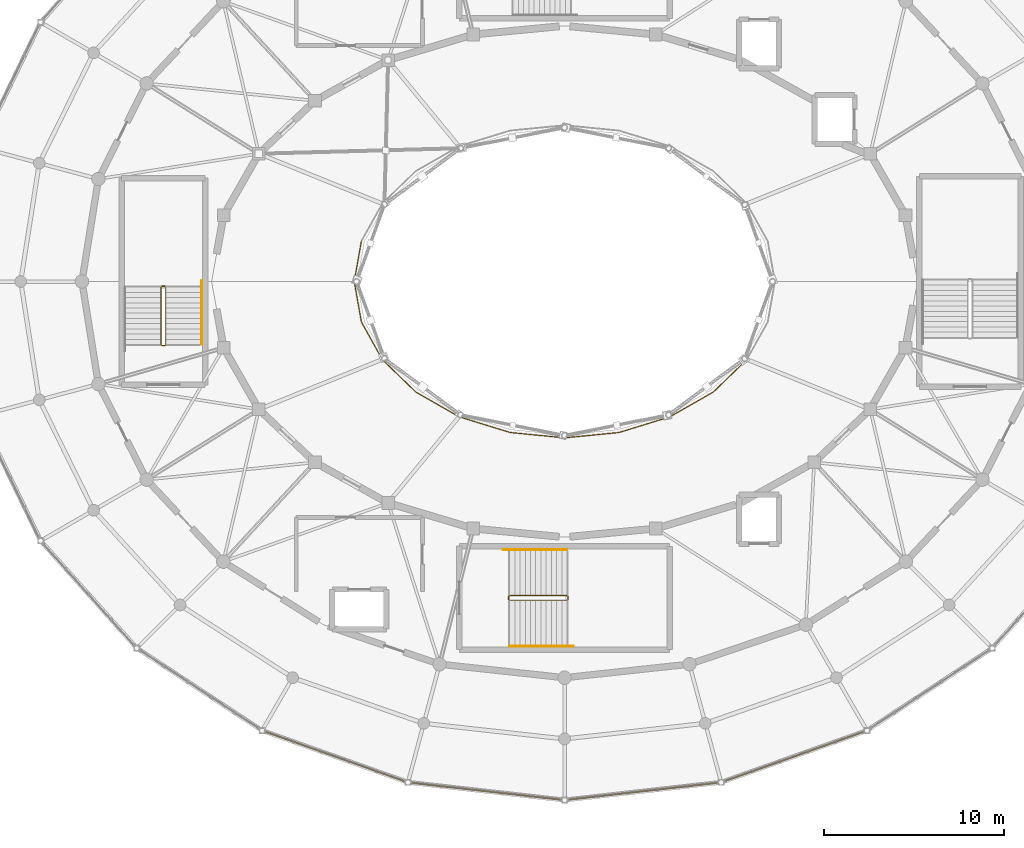
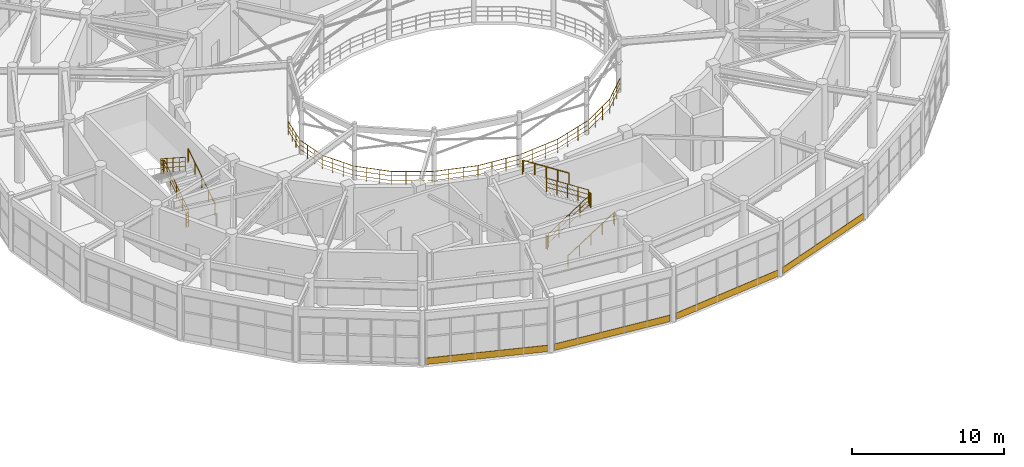
# One storey, part 55 of 60: 22 railings, 4 coverings.
"""IFC4 building model written with IfcOpenShell, lengths in metres."""

from ifc_helpers import new_model, si_unit, direction, frame, origin, origin_2d, place, context, subcontext, project, spatial, rectangle, circle, extrude, material, layer, layer_set, type_object, element, save


model = new_model("IFC4")

# Units and contexts
model_context = context("Model", 3, precision=1e-05, world=origin(), true_north=direction((0.0, 1.0)))
body_context = subcontext(model_context, "Body", "Model", "MODEL_VIEW")
ifc_project = project(units=[si_unit("LENGTHUNIT", "METRE"), si_unit("AREAUNIT", "SQUARE_METRE"), si_unit("VOLUMEUNIT", "CUBIC_METRE"), si_unit("PLANEANGLEUNIT", "RADIAN"), si_unit("MASSUNIT", "GRAM", prefix="KILO")], contexts=[model_context])

# Site, building, storey
site_placement = place(None, origin())
site = spatial("IfcSite", under=ifc_project, at=site_placement, CompositionType="ELEMENT")
building_placement = place(site_placement, origin())
building = spatial("IfcBuilding", under=site, at=building_placement, Name="Cinderbank Siding Concert Hall", CompositionType="ELEMENT")
storey_placement = place(building_placement, frame((0.0, 0.0, 14.699951171875)))
storey = spatial("IfcBuildingStorey", under=building, at=storey_placement, Name="L04", CompositionType="ELEMENT", Elevation=14.699951171875)

# Railings
ifc_material_1 = material(Name="Spotted gum glulam timber GL18 (42 MPa)", Category="wood")
railing_type_1 = type_object("IfcRailingType", Name="BAL-01 Auditorium Tier Balustrade 1120mm", PredefinedType="BALUSTRADE", material=ifc_material_1)
railing_1_placement = place(storey_placement, frame((110.718017578125, 46.24658203125, 0.0)))
element("IfcRailing", 1, at=railing_1_placement, inside=storey, type_object=railing_type_1, Name="L04 Auditorium Circle Balustrade 12", PredefinedType="BALUSTRADE", context=body_context, shape_type="SweptSolid", body=[
    extrude(circle(Radius=0.02392578125, at=origin_2d()), frame((0.0, 0.0, 1.09619140625), z_axis=(-0.174420153546, -0.984671320816, 0.0), x_axis=(0.984671320816, -0.174420153546, 0.0)), (0.0, 0.0, 1.0), 2.281494140625),
    extrude(circle(Radius=0.01611328125, at=origin_2d()), frame((0.0, 0.0, 0.36962890625), z_axis=(-0.174420153546, -0.984671320816, 0.0), x_axis=(0.984671320816, -0.174420153546, 0.0)), (0.0, 0.0, 1.0), 2.281494140625),
    extrude(circle(Radius=0.01611328125, at=origin_2d()), frame((0.0, 0.0, 0.7392578125), z_axis=(-0.174420153546, -0.984671320816, 0.0), x_axis=(0.984671320816, -0.174420153546, 0.0)), (0.0, 0.0, 1.0), 2.281494140625),
    extrude(circle(Radius=0.02099609375, at=origin_2d()), origin(), (0.0, 0.0, 1.0), 1.072021484375),
    extrude(circle(Radius=0.02099609375, at=origin_2d()), frame((-0.132568359375, -0.748779296875, 0.0)), (0.0, 0.0, 1.0), 1.072021484375),
    extrude(circle(Radius=0.02099609375, at=origin_2d()), frame((-0.265380859375, -1.497802734375, 0.0)), (0.0, 0.0, 1.0), 1.072021484375),
    extrude(circle(Radius=0.02099609375, at=origin_2d()), frame((-0.39794921875, -2.24658203125, 0.0)), (0.0, 0.0, 1.0), 1.072021484375),
])
railing_2_placement = place(storey_placement, frame((110.320068359375, 44.0, 0.0)))
element("IfcRailing", 2, at=railing_2_placement, inside=storey, type_object=railing_type_1, Name="L04 Auditorium Circle Balustrade 13", PredefinedType="BALUSTRADE", context=body_context, shape_type="SweptSolid", body=[
    extrude(circle(Radius=0.02392578125, at=origin_2d()), frame((0.0, 0.0, 1.09619140625), z_axis=(0.174420153546, -0.984671320816, 0.0), x_axis=(0.984671320816, 0.174420153546, 0.0)), (0.0, 0.0, 1.0), 2.281494140625),
    extrude(circle(Radius=0.01611328125, at=origin_2d()), frame((0.0, 0.0, 0.36962890625), z_axis=(0.174420153546, -0.984671320816, 0.0), x_axis=(0.984671320816, 0.174420153546, 0.0)), (0.0, 0.0, 1.0), 2.281494140625),
    extrude(circle(Radius=0.01611328125, at=origin_2d()), frame((0.0, 0.0, 0.7392578125), z_axis=(0.174420153546, -0.984671320816, 0.0), x_axis=(0.984671320816, 0.174420153546, 0.0)), (0.0, 0.0, 1.0), 2.281494140625),
    extrude(circle(Radius=0.02099609375, at=origin_2d()), origin(), (0.0, 0.0, 1.0), 1.072021484375),
    extrude(circle(Radius=0.02099609375, at=origin_2d()), frame((0.132568359375, -0.748779296875, 0.0)), (0.0, 0.0, 1.0), 1.072021484375),
    extrude(circle(Radius=0.02099609375, at=origin_2d()), frame((0.265380859375, -1.497802734375, 0.0)), (0.0, 0.0, 1.0), 1.072021484375),
    extrude(circle(Radius=0.02099609375, at=origin_2d()), frame((0.39794921875, -2.24658203125, 0.0)), (0.0, 0.0, 1.0), 1.072021484375),
])
railing_3_placement = place(storey_placement, frame((110.718017578125, 41.75341796875, 0.0)))
element("IfcRailing", 3, at=railing_3_placement, inside=storey, type_object=railing_type_1, Name="L04 Auditorium Circle Balustrade 14", PredefinedType="BALUSTRADE", context=body_context, shape_type="SweptSolid", body=[
    extrude(circle(Radius=0.02392578125, at=origin_2d()), frame((0.0, 0.0, 1.09619140625), z_axis=(0.486818758281, -0.873503003192, 0.0), x_axis=(0.873503003192, 0.486818758281, 0.0)), (0.0, 0.0, 1.0), 2.396728515625),
    extrude(circle(Radius=0.01611328125, at=origin_2d()), frame((0.0, 0.0, 0.36962890625), z_axis=(0.486818758281, -0.873503003192, 0.0), x_axis=(0.873503003192, 0.486818758281, 0.0)), (0.0, 0.0, 1.0), 2.396728515625),
    extrude(circle(Radius=0.01611328125, at=origin_2d()), frame((0.0, 0.0, 0.7392578125), z_axis=(0.486818758281, -0.873503003192, 0.0), x_axis=(0.873503003192, 0.486818758281, 0.0)), (0.0, 0.0, 1.0), 2.396728515625),
    extrude(circle(Radius=0.02099609375, at=origin_2d()), origin(), (0.0, 0.0, 1.0), 1.072021484375),
    extrude(circle(Radius=0.02099609375, at=origin_2d()), frame((0.388916015625, -0.69775390625, 0.0)), (0.0, 0.0, 1.0), 1.072021484375),
    extrude(circle(Radius=0.02099609375, at=origin_2d()), frame((0.77783203125, -1.395751953125, 0.0)), (0.0, 0.0, 1.0), 1.072021484375),
    extrude(circle(Radius=0.02099609375, at=origin_2d()), frame((1.166748046875, -2.093505859375, 0.0)), (0.0, 0.0, 1.0), 1.072021484375),
])
railing_4_placement = place(storey_placement, frame((111.884765625, 39.659912109375, 0.0)))
element("IfcRailing", 4, at=railing_4_placement, inside=storey, type_object=railing_type_1, Name="L04 Auditorium Circle Balustrade 15", PredefinedType="BALUSTRADE", context=body_context, shape_type="SweptSolid", body=[
    extrude(circle(Radius=0.02392578125, at=origin_2d()), frame((0.0, 0.0, 1.09619140625), z_axis=(0.71835383074, -0.695677923943, 0.0), x_axis=(0.695677923943, 0.71835383074, 0.0)), (0.0, 0.0, 1.0), 2.583984375),
    extrude(circle(Radius=0.01611328125, at=origin_2d()), frame((0.0, 0.0, 0.36962890625), z_axis=(0.71835383074, -0.695677923943, 0.0), x_axis=(0.695677923943, 0.71835383074, 0.0)), (0.0, 0.0, 1.0), 2.583984375),
    extrude(circle(Radius=0.01611328125, at=origin_2d()), frame((0.0, 0.0, 0.7392578125), z_axis=(0.71835383074, -0.695677923943, 0.0), x_axis=(0.695677923943, 0.71835383074, 0.0)), (0.0, 0.0, 1.0), 2.583984375),
    extrude(circle(Radius=0.02099609375, at=origin_2d()), origin(), (0.0, 0.0, 1.0), 1.072021484375),
    extrude(circle(Radius=0.02099609375, at=origin_2d()), frame((0.61865234375, -0.59912109375, 0.0)), (0.0, 0.0, 1.0), 1.072021484375),
    extrude(circle(Radius=0.02099609375, at=origin_2d()), frame((1.237548828125, -1.198486328125, 0.0)), (0.0, 0.0, 1.0), 1.072021484375),
    extrude(circle(Radius=0.02099609375, at=origin_2d()), frame((1.856201171875, -1.797607421875, 0.0)), (0.0, 0.0, 1.0), 1.072021484375),
])
railing_5_placement = place(storey_placement, frame((113.740966796875, 37.8623046875, 0.0)))
element("IfcRailing", 5, at=railing_5_placement, inside=storey, type_object=railing_type_1, Name="L04 Auditorium Circle Balustrade 16", PredefinedType="BALUSTRADE", context=body_context, shape_type="SweptSolid", body=[
    extrude(circle(Radius=0.02392578125, at=origin_2d()), frame((0.0, 0.0, 1.09619140625), z_axis=(0.868685219128, -0.495364502228, 0.0), x_axis=(0.495364502228, 0.868685219128, 0.0)), (0.0, 0.0, 1.0), 2.78466796875),
    extrude(circle(Radius=0.01611328125, at=origin_2d()), frame((0.0, 0.0, 0.36962890625), z_axis=(0.868685219128, -0.495364502228, 0.0), x_axis=(0.495364502228, 0.868685219128, 0.0)), (0.0, 0.0, 1.0), 2.78466796875),
    extrude(circle(Radius=0.01611328125, at=origin_2d()), frame((0.0, 0.0, 0.7392578125), z_axis=(0.868685219128, -0.495364502228, 0.0), x_axis=(0.495364502228, 0.868685219128, 0.0)), (0.0, 0.0, 1.0), 2.78466796875),
    extrude(circle(Radius=0.02099609375, at=origin_2d()), origin(), (0.0, 0.0, 1.0), 1.072021484375),
    extrude(circle(Radius=0.02099609375, at=origin_2d()), frame((0.806396484375, -0.459716796875, 0.0)), (0.0, 0.0, 1.0), 1.072021484375),
    extrude(circle(Radius=0.02099609375, at=origin_2d()), frame((1.612548828125, -0.919677734375, 0.0)), (0.0, 0.0, 1.0), 1.072021484375),
    extrude(circle(Radius=0.02099609375, at=origin_2d()), frame((2.4189453125, -1.37939453125, 0.0)), (0.0, 0.0, 1.0), 1.072021484375),
])
railing_6_placement = place(storey_placement, frame((116.159912109375, 36.48291015625, 0.0)))
element("IfcRailing", 6, at=railing_6_placement, inside=storey, type_object=railing_type_1, Name="L04 Auditorium Circle Balustrade 17", PredefinedType="BALUSTRADE", context=body_context, shape_type="SweptSolid", body=[
    extrude(circle(Radius=0.02392578125, at=origin_2d()), frame((0.0, 0.0, 1.09619140625), z_axis=(0.955743184461, -0.294202252466, 0.0), x_axis=(0.294202252466, 0.955743184461, 0.0)), (0.0, 0.0, 1.0), 2.947509765625),
    extrude(circle(Radius=0.01611328125, at=origin_2d()), frame((0.0, 0.0, 0.36962890625), z_axis=(0.955743184461, -0.294202252466, 0.0), x_axis=(0.294202252466, 0.955743184461, 0.0)), (0.0, 0.0, 1.0), 2.947509765625),
    extrude(circle(Radius=0.01611328125, at=origin_2d()), frame((0.0, 0.0, 0.7392578125), z_axis=(0.955743184461, -0.294202252466, 0.0), x_axis=(0.294202252466, 0.955743184461, 0.0)), (0.0, 0.0, 1.0), 2.947509765625),
    extrude(circle(Radius=0.02099609375, at=origin_2d()), origin(), (0.0, 0.0, 1.0), 1.072021484375),
    extrude(circle(Radius=0.02099609375, at=origin_2d()), frame((0.93896484375, -0.2890625, 0.0)), (0.0, 0.0, 1.0), 1.072021484375),
    extrude(circle(Radius=0.02099609375, at=origin_2d()), frame((1.878173828125, -0.578125, 0.0)), (0.0, 0.0, 1.0), 1.072021484375),
    extrude(circle(Radius=0.02099609375, at=origin_2d()), frame((2.817138671875, -0.8671875, 0.0)), (0.0, 0.0, 1.0), 1.072021484375),
])
railing_7_placement = place(storey_placement, frame((118.97705078125, 35.61572265625, 0.0)))
element("IfcRailing", 7, at=railing_7_placement, inside=storey, type_object=railing_type_1, Name="L04 Auditorium Circle Balustrade 18", PredefinedType="BALUSTRADE", context=body_context, shape_type="SweptSolid", body=[
    extrude(circle(Radius=0.02392578125, at=origin_2d()), frame((0.0, 0.0, 1.09619140625), z_axis=(0.995251301544, -0.097338824598, 0.0), x_axis=(0.097338824598, 0.995251301544, 0.0)), (0.0, 0.0, 1.0), 3.037353515625),
    extrude(circle(Radius=0.01611328125, at=origin_2d()), frame((0.0, 0.0, 0.36962890625), z_axis=(0.995251301544, -0.097338824598, 0.0), x_axis=(0.097338824598, 0.995251301544, 0.0)), (0.0, 0.0, 1.0), 3.037353515625),
    extrude(circle(Radius=0.01611328125, at=origin_2d()), frame((0.0, 0.0, 0.7392578125), z_axis=(0.995251301544, -0.097338824598, 0.0), x_axis=(0.097338824598, 0.995251301544, 0.0)), (0.0, 0.0, 1.0), 3.037353515625),
    extrude(circle(Radius=0.02099609375, at=origin_2d()), origin(), (0.0, 0.0, 1.0), 1.072021484375),
    extrude(circle(Radius=0.02099609375, at=origin_2d()), frame((1.007568359375, -0.0986328125, 0.0)), (0.0, 0.0, 1.0), 1.072021484375),
    extrude(circle(Radius=0.02099609375, at=origin_2d()), frame((2.015380859375, -0.197021484375, 0.0)), (0.0, 0.0, 1.0), 1.072021484375),
    extrude(circle(Radius=0.02099609375, at=origin_2d()), frame((3.02294921875, -0.295654296875, 0.0)), (0.0, 0.0, 1.0), 1.072021484375),
])
railing_8_placement = place(storey_placement, frame((122.0, 35.320068359375, 0.0)))
element("IfcRailing", 8, at=railing_8_placement, inside=storey, type_object=railing_type_1, Name="L04 Auditorium Circle Balustrade 19", PredefinedType="BALUSTRADE", context=body_context, shape_type="SweptSolid", body=[
    extrude(circle(Radius=0.02392578125, at=origin_2d()), frame((0.0, 0.0, 1.09619140625), z_axis=(0.995251301544, 0.097338824598, 0.0), x_axis=(-0.097338824598, 0.995251301544, 0.0)), (0.0, 0.0, 1.0), 3.037353515625),
    extrude(circle(Radius=0.01611328125, at=origin_2d()), frame((0.0, 0.0, 0.36962890625), z_axis=(0.995251301544, 0.097338824598, 0.0), x_axis=(-0.097338824598, 0.995251301544, 0.0)), (0.0, 0.0, 1.0), 3.037353515625),
    extrude(circle(Radius=0.01611328125, at=origin_2d()), frame((0.0, 0.0, 0.7392578125), z_axis=(0.995251301544, 0.097338824598, 0.0), x_axis=(-0.097338824598, 0.995251301544, 0.0)), (0.0, 0.0, 1.0), 3.037353515625),
    extrude(circle(Radius=0.02099609375, at=origin_2d()), origin(), (0.0, 0.0, 1.0), 1.072021484375),
    extrude(circle(Radius=0.02099609375, at=origin_2d()), frame((1.007568359375, 0.0986328125, 0.0)), (0.0, 0.0, 1.0), 1.072021484375),
    extrude(circle(Radius=0.02099609375, at=origin_2d()), frame((2.015380859375, 0.197021484375, 0.0)), (0.0, 0.0, 1.0), 1.072021484375),
    extrude(circle(Radius=0.02099609375, at=origin_2d()), frame((3.02294921875, 0.295654296875, 0.0)), (0.0, 0.0, 1.0), 1.072021484375),
])
railing_9_placement = place(storey_placement, frame((125.02294921875, 35.61572265625, 0.0)))
element("IfcRailing", 9, at=railing_9_placement, inside=storey, type_object=railing_type_1, Name="L04 Auditorium Circle Balustrade 20", PredefinedType="BALUSTRADE", context=body_context, shape_type="SweptSolid", body=[
    extrude(circle(Radius=0.02392578125, at=origin_2d()), frame((0.0, 0.0, 1.09619140625), z_axis=(0.955743184461, 0.294202252466, 0.0), x_axis=(-0.294202252466, 0.955743184461, 0.0)), (0.0, 0.0, 1.0), 2.947509765625),
    extrude(circle(Radius=0.01611328125, at=origin_2d()), frame((0.0, 0.0, 0.36962890625), z_axis=(0.955743184461, 0.294202252466, 0.0), x_axis=(-0.294202252466, 0.955743184461, 0.0)), (0.0, 0.0, 1.0), 2.947509765625),
    extrude(circle(Radius=0.01611328125, at=origin_2d()), frame((0.0, 0.0, 0.7392578125), z_axis=(0.955743184461, 0.294202252466, 0.0), x_axis=(-0.294202252466, 0.955743184461, 0.0)), (0.0, 0.0, 1.0), 2.947509765625),
    extrude(circle(Radius=0.02099609375, at=origin_2d()), origin(), (0.0, 0.0, 1.0), 1.072021484375),
    extrude(circle(Radius=0.02099609375, at=origin_2d()), frame((0.93896484375, 0.2890625, 0.0)), (0.0, 0.0, 1.0), 1.072021484375),
    extrude(circle(Radius=0.02099609375, at=origin_2d()), frame((1.878173828125, 0.578125, 0.0)), (0.0, 0.0, 1.0), 1.072021484375),
    extrude(circle(Radius=0.02099609375, at=origin_2d()), frame((2.817138671875, 0.8671875, 0.0)), (0.0, 0.0, 1.0), 1.072021484375),
])
railing_10_placement = place(storey_placement, frame((127.840087890625, 36.48291015625, 0.0)))
element("IfcRailing", 10, at=railing_10_placement, inside=storey, type_object=railing_type_1, Name="L04 Auditorium Circle Balustrade 21", PredefinedType="BALUSTRADE", context=body_context, shape_type="SweptSolid", body=[
    extrude(circle(Radius=0.02392578125, at=origin_2d()), frame((0.0, 0.0, 1.09619140625), z_axis=(0.868685219128, 0.495364502228, 0.0), x_axis=(-0.495364502228, 0.868685219128, 0.0)), (0.0, 0.0, 1.0), 2.78466796875),
    extrude(circle(Radius=0.01611328125, at=origin_2d()), frame((0.0, 0.0, 0.36962890625), z_axis=(0.868685219128, 0.495364502228, 0.0), x_axis=(-0.495364502228, 0.868685219128, 0.0)), (0.0, 0.0, 1.0), 2.78466796875),
    extrude(circle(Radius=0.01611328125, at=origin_2d()), frame((0.0, 0.0, 0.7392578125), z_axis=(0.868685219128, 0.495364502228, 0.0), x_axis=(-0.495364502228, 0.868685219128, 0.0)), (0.0, 0.0, 1.0), 2.78466796875),
    extrude(circle(Radius=0.02099609375, at=origin_2d()), origin(), (0.0, 0.0, 1.0), 1.072021484375),
    extrude(circle(Radius=0.02099609375, at=origin_2d()), frame((0.806396484375, 0.459716796875, 0.0)), (0.0, 0.0, 1.0), 1.072021484375),
    extrude(circle(Radius=0.02099609375, at=origin_2d()), frame((1.612548828125, 0.919677734375, 0.0)), (0.0, 0.0, 1.0), 1.072021484375),
    extrude(circle(Radius=0.02099609375, at=origin_2d()), frame((2.4189453125, 1.37939453125, 0.0)), (0.0, 0.0, 1.0), 1.072021484375),
])
railing_11_placement = place(storey_placement, frame((130.259033203125, 37.8623046875, 0.0)))
element("IfcRailing", 11, at=railing_11_placement, inside=storey, type_object=railing_type_1, Name="L04 Auditorium Circle Balustrade 22", PredefinedType="BALUSTRADE", context=body_context, shape_type="SweptSolid", body=[
    extrude(circle(Radius=0.02392578125, at=origin_2d()), frame((0.0, 0.0, 1.09619140625), z_axis=(0.71835383074, 0.695677923943, 0.0), x_axis=(-0.695677923943, 0.71835383074, 0.0)), (0.0, 0.0, 1.0), 2.583984375),
    extrude(circle(Radius=0.01611328125, at=origin_2d()), frame((0.0, 0.0, 0.36962890625), z_axis=(0.71835383074, 0.695677923943, 0.0), x_axis=(-0.695677923943, 0.71835383074, 0.0)), (0.0, 0.0, 1.0), 2.583984375),
    extrude(circle(Radius=0.01611328125, at=origin_2d()), frame((0.0, 0.0, 0.7392578125), z_axis=(0.71835383074, 0.695677923943, 0.0), x_axis=(-0.695677923943, 0.71835383074, 0.0)), (0.0, 0.0, 1.0), 2.583984375),
    extrude(circle(Radius=0.02099609375, at=origin_2d()), origin(), (0.0, 0.0, 1.0), 1.072021484375),
    extrude(circle(Radius=0.02099609375, at=origin_2d()), frame((0.61865234375, 0.59912109375, 0.0)), (0.0, 0.0, 1.0), 1.072021484375),
    extrude(circle(Radius=0.02099609375, at=origin_2d()), frame((1.237548828125, 1.198486328125, 0.0)), (0.0, 0.0, 1.0), 1.072021484375),
    extrude(circle(Radius=0.02099609375, at=origin_2d()), frame((1.856201171875, 1.797607421875, 0.0)), (0.0, 0.0, 1.0), 1.072021484375),
])

# Coverings
ifc_layer = layer(ifc_material_1, 0.06494140625)
ifc_layer_set = layer_set([ifc_layer], Name="Spotted gum glulam timber GL18 (42 MPa)")
covering_type = type_object("IfcCoveringType", Name="CL-01 Spotted Gum Spandrel Band 520mm", PredefinedType="CLADDING", material=ifc_layer_set)
covering_1_placement = place(storey_placement, frame((109.251953125, 17.619873046875, 0.0), z_axis=(0.0, 0.0, 1.0), x_axis=(0.942365662238, -0.334584755532, 0.0)))
element("IfcCovering", 12, at=covering_1_placement, inside=storey, type_object=covering_type, Name="CW-L04-064 Spotted Gum Spandrel Band", PredefinedType="CLADDING", context=body_context, shape_type="SweptSolid", body=[
    extrude(rectangle(XDim=8.1455078125, YDim=0.06494140625, at=origin_2d()), origin(), (0.0, 0.0, 1.0), 0.52001953125),
])
for number, where, z_axis, x_axis, name in (
    (13, (117.65185546875, 15.690673828125, 0.0), (0.0, 0.0, 1.0), (0.993693605349, -0.112129472879, 0.0), "CW-L04-065 Spotted Gum Spandrel Band"),
    (14, (126.34814453125, 15.690673828125, 0.0), (0.0, 0.0, 1.0), (0.993693605349, 0.112129472879, 0.0), "CW-L04-066 Spotted Gum Spandrel Band"),
):
    element("IfcCovering", number, at=place(storey_placement, frame(where, z_axis=z_axis, x_axis=x_axis)), inside=storey, type_object=covering_type, Name=name, PredefinedType="CLADDING", context=body_context, shape_type="SweptSolid", body=[
        extrude(rectangle(XDim=8.297607421875, YDim=0.06494140625, at=origin_2d()), origin(), (0.0, 0.0, 1.0), 0.52001953125),
    ])
covering_2_placement = place(storey_placement, frame((134.748291015625, 17.619873046875, 0.0), z_axis=(0.0, 0.0, 1.0), x_axis=(0.942365662238, 0.334584755532, 0.0)))
element("IfcCovering", 15, at=covering_2_placement, inside=storey, type_object=covering_type, Name="CW-L04-067 Spotted Gum Spandrel Band", PredefinedType="CLADDING", context=body_context, shape_type="SweptSolid", body=[
    extrude(rectangle(XDim=8.1455078125, YDim=0.06494140625, at=origin_2d()), origin(), (0.0, 0.0, 1.0), 0.52001953125),
])

# Railings
ifc_material_2 = material(Name="Structural steel AS/NZS 3679.1 Grade 350 (340 MPa)", Category="steel")
railing_type_2 = type_object("IfcRailingType", Name="STG-01 Stair Well Guardrail 1120mm", PredefinedType="GUARDRAIL", material=ifc_material_2)
railing_12_placement = place(storey_placement, frame((118.949951171875, 26.300048828125, 0.1875)))
element("IfcRailing", 16, at=railing_12_placement, inside=storey, type_object=railing_type_2, Name="L04 ST-02 stair guard 1", PredefinedType="GUARDRAIL", context=body_context, shape_type="SweptSolid", body=[
    extrude(circle(Radius=0.02392578125, at=origin_2d()), frame((0.0, 0.0, 1.09619140625), z_axis=(0.839759782654, 0.0, 0.542958108362), x_axis=(0.0, 1.0, 0.0)), (0.0, 0.0, 1.0), 3.798583984375),
    extrude(circle(Radius=0.01611328125, at=origin_2d()), frame((0.0, 0.0, 0.36962890625), z_axis=(0.839759782654, 0.0, 0.542958108362), x_axis=(0.0, 1.0, 0.0)), (0.0, 0.0, 1.0), 3.798583984375),
    extrude(circle(Radius=0.01611328125, at=origin_2d()), frame((0.0, 0.0, 0.7392578125), z_axis=(0.839759782654, 0.0, 0.542958108362), x_axis=(0.0, 1.0, 0.0)), (0.0, 0.0, 1.0), 3.798583984375),
    extrude(circle(Radius=0.02099609375, at=origin_2d()), origin(), (0.0, 0.0, 1.0), 1.072021484375),
    extrude(circle(Radius=0.02099609375, at=origin_2d()), frame((0.79736328125, 0.0, 0.515625)), (0.0, 0.0, 1.0), 1.072021484375),
    extrude(circle(Radius=0.02099609375, at=origin_2d()), frame((1.594970703125, 0.0, 1.03125)), (0.0, 0.0, 1.0), 1.072021484375),
    extrude(circle(Radius=0.02099609375, at=origin_2d()), frame((2.392578125, 0.0, 1.546875)), (0.0, 0.0, 1.0), 1.072021484375),
    extrude(circle(Radius=0.02099609375, at=origin_2d()), frame((3.18994140625, 0.0, 2.0625)), (0.0, 0.0, 1.0), 1.072021484375),
])
railing_13_placement = place(storey_placement, frame((122.18994140625, 26.35009765625, 2.25)))
element("IfcRailing", 17, at=railing_13_placement, inside=storey, type_object=railing_type_2, Name="L04 ST-02 stair guard 2", PredefinedType="GUARDRAIL", context=body_context, shape_type="SweptSolid", body=[
    extrude(circle(Radius=0.02392578125, at=origin_2d()), frame((0.0, 0.0, 1.09619140625), z_axis=(0.0, 1.0, 0.0), x_axis=(-1.0, 0.0, 0.0)), (0.0, 0.0, 1.0), 0.159912109375),
    extrude(circle(Radius=0.01611328125, at=origin_2d()), frame((0.0, 0.0, 0.36962890625), z_axis=(0.0, 1.0, 0.0), x_axis=(-1.0, 0.0, 0.0)), (0.0, 0.0, 1.0), 0.159912109375),
    extrude(circle(Radius=0.01611328125, at=origin_2d()), frame((0.0, 0.0, 0.7392578125), z_axis=(0.0, 1.0, 0.0), x_axis=(-1.0, 0.0, 0.0)), (0.0, 0.0, 1.0), 0.159912109375),
    extrude(circle(Radius=0.02099609375, at=origin_2d()), origin(), (0.0, 0.0, 1.0), 1.072021484375),
    extrude(circle(Radius=0.02099609375, at=origin_2d()), frame((0.0, 0.159912109375, 0.0)), (0.0, 0.0, 1.0), 1.072021484375),
])
railing_14_placement = place(storey_placement, frame((122.139892578125, 26.56005859375, 2.4375)))
element("IfcRailing", 18, at=railing_14_placement, inside=storey, type_object=railing_type_2, Name="L04 ST-02 stair guard 3", PredefinedType="GUARDRAIL", context=body_context, shape_type="SweptSolid", body=[
    extrude(circle(Radius=0.02392578125, at=origin_2d()), frame((0.0, 0.0, 1.09619140625), z_axis=(-0.839759782654, 0.0, 0.542958108362), x_axis=(0.0, -1.0, 0.0)), (0.0, 0.0, 1.0), 3.798583984375),
    extrude(circle(Radius=0.01611328125, at=origin_2d()), frame((0.0, 0.0, 0.36962890625), z_axis=(-0.839759782654, 0.0, 0.542958108362), x_axis=(0.0, -1.0, 0.0)), (0.0, 0.0, 1.0), 3.798583984375),
    extrude(circle(Radius=0.01611328125, at=origin_2d()), frame((0.0, 0.0, 0.7392578125), z_axis=(-0.839759782654, 0.0, 0.542958108362), x_axis=(0.0, -1.0, 0.0)), (0.0, 0.0, 1.0), 3.798583984375),
    extrude(circle(Radius=0.02099609375, at=origin_2d()), origin(), (0.0, 0.0, 1.0), 1.072021484375),
    extrude(circle(Radius=0.02099609375, at=origin_2d()), frame((-0.79736328125, 0.0, 0.515625)), (0.0, 0.0, 1.0), 1.072021484375),
    extrude(circle(Radius=0.02099609375, at=origin_2d()), frame((-1.594970703125, 0.0, 1.03125)), (0.0, 0.0, 1.0), 1.072021484375),
    extrude(circle(Radius=0.02099609375, at=origin_2d()), frame((-2.392578125, 0.0, 1.546875)), (0.0, 0.0, 1.0), 1.072021484375),
    extrude(circle(Radius=0.02099609375, at=origin_2d()), frame((-3.18994140625, 0.0, 2.0625)), (0.0, 0.0, 1.0), 1.072021484375),
])
railing_15_placement = place(storey_placement, frame((118.89990234375, 26.35009765625, 0.0)))
element("IfcRailing", 19, at=railing_15_placement, inside=storey, type_object=railing_type_2, Name="L04 ST-02 stair guard 4", PredefinedType="GUARDRAIL", context=body_context, shape_type="SweptSolid", body=[
    extrude(circle(Radius=0.02392578125, at=origin_2d()), frame((0.0, 0.0, 1.09619140625), z_axis=(0.0, 1.0, 0.0), x_axis=(-1.0, 0.0, 0.0)), (0.0, 0.0, 1.0), 0.159912109375),
    extrude(circle(Radius=0.01611328125, at=origin_2d()), frame((0.0, 0.0, 0.36962890625), z_axis=(0.0, 1.0, 0.0), x_axis=(-1.0, 0.0, 0.0)), (0.0, 0.0, 1.0), 0.159912109375),
    extrude(circle(Radius=0.01611328125, at=origin_2d()), frame((0.0, 0.0, 0.7392578125), z_axis=(0.0, 1.0, 0.0), x_axis=(-1.0, 0.0, 0.0)), (0.0, 0.0, 1.0), 0.159912109375),
    extrude(circle(Radius=0.02099609375, at=origin_2d()), origin(), (0.0, 0.0, 1.0), 1.072021484375),
    extrude(circle(Radius=0.02099609375, at=origin_2d()), frame((0.0, 0.159912109375, 0.0)), (0.0, 0.0, 1.0), 1.072021484375),
])
railing_16_placement = place(storey_placement, frame((99.85009765625, 40.5, 0.1875)))
element("IfcRailing", 20, at=railing_16_placement, inside=storey, type_object=railing_type_2, Name="L04 ST-04 stair guard 1", PredefinedType="GUARDRAIL", context=body_context, shape_type="SweptSolid", body=[
    extrude(circle(Radius=0.02392578125, at=origin_2d()), frame((0.0, 0.0, 1.09619140625), z_axis=(0.0, 0.839759782654, 0.542958108362), x_axis=(-1.0, 0.0, 0.0)), (0.0, 0.0, 1.0), 3.798583984375),
    extrude(circle(Radius=0.01611328125, at=origin_2d()), frame((0.0, 0.0, 0.36962890625), z_axis=(0.0, 0.839759782654, 0.542958108362), x_axis=(-1.0, 0.0, 0.0)), (0.0, 0.0, 1.0), 3.798583984375),
    extrude(circle(Radius=0.01611328125, at=origin_2d()), frame((0.0, 0.0, 0.7392578125), z_axis=(0.0, 0.839759782654, 0.542958108362), x_axis=(-1.0, 0.0, 0.0)), (0.0, 0.0, 1.0), 3.798583984375),
    extrude(circle(Radius=0.02099609375, at=origin_2d()), origin(), (0.0, 0.0, 1.0), 1.072021484375),
    extrude(circle(Radius=0.02099609375, at=origin_2d()), frame((0.0, 0.79736328125, 0.515625)), (0.0, 0.0, 1.0), 1.072021484375),
    extrude(circle(Radius=0.02099609375, at=origin_2d()), frame((0.0, 1.594970703125, 1.03125)), (0.0, 0.0, 1.0), 1.072021484375),
    extrude(circle(Radius=0.02099609375, at=origin_2d()), frame((0.0, 2.392578125, 1.546875)), (0.0, 0.0, 1.0), 1.072021484375),
    extrude(circle(Radius=0.02099609375, at=origin_2d()), frame((0.0, 3.18994140625, 2.0625)), (0.0, 0.0, 1.0), 1.072021484375),
])
railing_17_placement = place(storey_placement, frame((99.800048828125, 43.739990234375, 2.25)))
element("IfcRailing", 21, at=railing_17_placement, inside=storey, type_object=railing_type_2, Name="L04 ST-04 stair guard 2", PredefinedType="GUARDRAIL", context=body_context, shape_type="SweptSolid", body=[
    extrude(circle(Radius=0.02392578125, at=origin_2d()), frame((0.0, 0.0, 1.09619140625), z_axis=(-1.0, 0.0, 0.0), x_axis=(0.0, -1.0, 0.0)), (0.0, 0.0, 1.0), 0.16015625),
    extrude(circle(Radius=0.01611328125, at=origin_2d()), frame((0.0, 0.0, 0.36962890625), z_axis=(-1.0, 0.0, 0.0), x_axis=(0.0, -1.0, 0.0)), (0.0, 0.0, 1.0), 0.16015625),
    extrude(circle(Radius=0.01611328125, at=origin_2d()), frame((0.0, 0.0, 0.7392578125), z_axis=(-1.0, 0.0, 0.0), x_axis=(0.0, -1.0, 0.0)), (0.0, 0.0, 1.0), 0.16015625),
    extrude(circle(Radius=0.02099609375, at=origin_2d()), origin(), (0.0, 0.0, 1.0), 1.072021484375),
    extrude(circle(Radius=0.02099609375, at=origin_2d()), frame((-0.16015625, 0.0, 0.0)), (0.0, 0.0, 1.0), 1.072021484375),
])
railing_18_placement = place(storey_placement, frame((99.590087890625, 43.68994140625, 2.4375)))
element("IfcRailing", 22, at=railing_18_placement, inside=storey, type_object=railing_type_2, Name="L04 ST-04 stair guard 3", PredefinedType="GUARDRAIL", context=body_context, shape_type="SweptSolid", body=[
    extrude(circle(Radius=0.02392578125, at=origin_2d()), frame((0.0, 0.0, 1.09619140625), z_axis=(0.0, -0.839759782654, 0.542958108362), x_axis=(1.0, 0.0, 0.0)), (0.0, 0.0, 1.0), 3.798583984375),
    extrude(circle(Radius=0.01611328125, at=origin_2d()), frame((0.0, 0.0, 0.36962890625), z_axis=(0.0, -0.839759782654, 0.542958108362), x_axis=(1.0, 0.0, 0.0)), (0.0, 0.0, 1.0), 3.798583984375),
    extrude(circle(Radius=0.01611328125, at=origin_2d()), frame((0.0, 0.0, 0.7392578125), z_axis=(0.0, -0.839759782654, 0.542958108362), x_axis=(1.0, 0.0, 0.0)), (0.0, 0.0, 1.0), 3.798583984375),
    extrude(circle(Radius=0.02099609375, at=origin_2d()), origin(), (0.0, 0.0, 1.0), 1.072021484375),
    extrude(circle(Radius=0.02099609375, at=origin_2d()), frame((0.0, -0.79736328125, 0.515625)), (0.0, 0.0, 1.0), 1.072021484375),
    extrude(circle(Radius=0.02099609375, at=origin_2d()), frame((0.0, -1.594970703125, 1.03125)), (0.0, 0.0, 1.0), 1.072021484375),
    extrude(circle(Radius=0.02099609375, at=origin_2d()), frame((0.0, -2.392578125, 1.546875)), (0.0, 0.0, 1.0), 1.072021484375),
    extrude(circle(Radius=0.02099609375, at=origin_2d()), frame((0.0, -3.18994140625, 2.0625)), (0.0, 0.0, 1.0), 1.072021484375),
])
railing_19_placement = place(storey_placement, frame((99.800048828125, 40.449951171875, 0.0)))
element("IfcRailing", 23, at=railing_19_placement, inside=storey, type_object=railing_type_2, Name="L04 ST-04 stair guard 4", PredefinedType="GUARDRAIL", context=body_context, shape_type="SweptSolid", body=[
    extrude(circle(Radius=0.02392578125, at=origin_2d()), frame((0.0, 0.0, 1.09619140625), z_axis=(-1.0, 0.0, 0.0), x_axis=(0.0, -1.0, 0.0)), (0.0, 0.0, 1.0), 0.16015625),
    extrude(circle(Radius=0.01611328125, at=origin_2d()), frame((0.0, 0.0, 0.36962890625), z_axis=(-1.0, 0.0, 0.0), x_axis=(0.0, -1.0, 0.0)), (0.0, 0.0, 1.0), 0.16015625),
    extrude(circle(Radius=0.01611328125, at=origin_2d()), frame((0.0, 0.0, 0.7392578125), z_axis=(-1.0, 0.0, 0.0), x_axis=(0.0, -1.0, 0.0)), (0.0, 0.0, 1.0), 0.16015625),
    extrude(circle(Radius=0.02099609375, at=origin_2d()), origin(), (0.0, 0.0, 1.0), 1.072021484375),
    extrude(circle(Radius=0.02099609375, at=origin_2d()), frame((-0.16015625, 0.0, 0.0)), (0.0, 0.0, 1.0), 1.072021484375),
])
railing_type_3 = type_object("IfcRailingType", Name="STH-01 Stair Pitch Handrail 920mm", PredefinedType="HANDRAIL", material=ifc_material_2)
railing_20_placement = place(storey_placement, frame((118.949951171875, 23.75, 0.1875)))
element("IfcRailing", 24, at=railing_20_placement, inside=storey, type_object=railing_type_3, Name="L04 ST-02 stair handrail 1", PredefinedType="HANDRAIL", context=body_context, shape_type="SweptSolid", body=[
    extrude(circle(Radius=0.02392578125, at=origin_2d()), frame((0.0, 0.0, 0.89599609375), z_axis=(0.839762940478, 0.0, 0.542953224319), x_axis=(0.0, 1.0, 0.0)), (0.0, 0.0, 1.0), 4.14404296875),
    extrude(circle(Radius=0.02392578125, at=origin_2d()), frame((3.47998046875, 0.0, 3.14599609375), z_axis=(1.0, 0.0, 0.0), x_axis=(0.0, 1.0, 0.0)), (0.0, 0.0, 1.0), 0.06005859375),
    extrude(circle(Radius=0.02099609375, at=origin_2d()), origin(), (0.0, 0.0, 1.0), 0.871826171875),
    extrude(circle(Radius=0.02099609375, at=origin_2d()), frame((0.8701171875, 0.0, 0.5625)), (0.0, 0.0, 1.0), 0.871826171875),
    extrude(circle(Radius=0.02099609375, at=origin_2d()), frame((1.739990234375, 0.0, 1.125)), (0.0, 0.0, 1.0), 0.871826171875),
    extrude(circle(Radius=0.02099609375, at=origin_2d()), frame((2.60986328125, 0.0, 1.6875)), (0.0, 0.0, 1.0), 0.871826171875),
    extrude(circle(Radius=0.02099609375, at=origin_2d()), frame((3.47998046875, 0.0, 2.25)), (0.0, 0.0, 1.0), 0.871826171875),
    extrude(circle(Radius=0.02099609375, at=origin_2d()), frame((3.5400390625, 0.0, 2.0625)), (0.0, 0.0, 1.0), 1.059326171875),
])
railing_21_placement = place(storey_placement, frame((122.139892578125, 29.110107421875, 2.4375)))
element("IfcRailing", 25, at=railing_21_placement, inside=storey, type_object=railing_type_3, Name="L04 ST-02 stair handrail 2", PredefinedType="HANDRAIL", context=body_context, shape_type="SweptSolid", body=[
    extrude(circle(Radius=0.02392578125, at=origin_2d()), frame((0.0, 0.0, 0.89599609375), z_axis=(-0.839762940478, 0.0, 0.542953224319), x_axis=(0.0, -1.0, 0.0)), (0.0, 0.0, 1.0), 4.14404296875),
    extrude(circle(Radius=0.02392578125, at=origin_2d()), frame((-3.47998046875, 0.0, 3.14599609375), z_axis=(-1.0, 0.0, 0.0), x_axis=(0.0, -1.0, 0.0)), (0.0, 0.0, 1.0), 0.059814453125),
    extrude(circle(Radius=0.02099609375, at=origin_2d()), origin(), (0.0, 0.0, 1.0), 0.871826171875),
    extrude(circle(Radius=0.02099609375, at=origin_2d()), frame((-0.8701171875, 0.0, 0.5625)), (0.0, 0.0, 1.0), 0.871826171875),
    extrude(circle(Radius=0.02099609375, at=origin_2d()), frame((-1.739990234375, 0.0, 1.125)), (0.0, 0.0, 1.0), 0.871826171875),
    extrude(circle(Radius=0.02099609375, at=origin_2d()), frame((-2.60986328125, 0.0, 1.6875)), (0.0, 0.0, 1.0), 0.871826171875),
    extrude(circle(Radius=0.02099609375, at=origin_2d()), frame((-3.47998046875, 0.0, 2.25)), (0.0, 0.0, 1.0), 0.871826171875),
    extrude(circle(Radius=0.02099609375, at=origin_2d()), frame((-3.539794921875, 0.0, 2.0625)), (0.0, 0.0, 1.0), 1.059326171875),
])
railing_22_placement = place(storey_placement, frame((101.85009765625, 40.5, 0.1875)))
element("IfcRailing", 26, at=railing_22_placement, inside=storey, type_object=railing_type_3, Name="L04 ST-04 stair handrail 1", PredefinedType="HANDRAIL", context=body_context, shape_type="SweptSolid", body=[
    extrude(circle(Radius=0.02392578125, at=origin_2d()), frame((0.0, 0.0, 0.89599609375), z_axis=(0.0, 0.839762940478, 0.542953224319), x_axis=(-1.0, 0.0, 0.0)), (0.0, 0.0, 1.0), 4.14404296875),
    extrude(circle(Radius=0.02392578125, at=origin_2d()), frame((0.0, 3.47998046875, 3.14599609375), z_axis=(0.0, 1.0, 0.0), x_axis=(-1.0, 0.0, 0.0)), (0.0, 0.0, 1.0), 0.06005859375),
    extrude(circle(Radius=0.02099609375, at=origin_2d()), origin(), (0.0, 0.0, 1.0), 0.871826171875),
    extrude(circle(Radius=0.02099609375, at=origin_2d()), frame((0.0, 0.8701171875, 0.5625)), (0.0, 0.0, 1.0), 0.871826171875),
    extrude(circle(Radius=0.02099609375, at=origin_2d()), frame((0.0, 1.739990234375, 1.125)), (0.0, 0.0, 1.0), 0.871826171875),
    extrude(circle(Radius=0.02099609375, at=origin_2d()), frame((0.0, 2.60986328125, 1.6875)), (0.0, 0.0, 1.0), 0.871826171875),
    extrude(circle(Radius=0.02099609375, at=origin_2d()), frame((0.0, 3.47998046875, 2.25)), (0.0, 0.0, 1.0), 0.871826171875),
    extrude(circle(Radius=0.02099609375, at=origin_2d()), frame((0.0, 3.5400390625, 2.0625)), (0.0, 0.0, 1.0), 1.059326171875),
])

save(model, "model.ifc")
